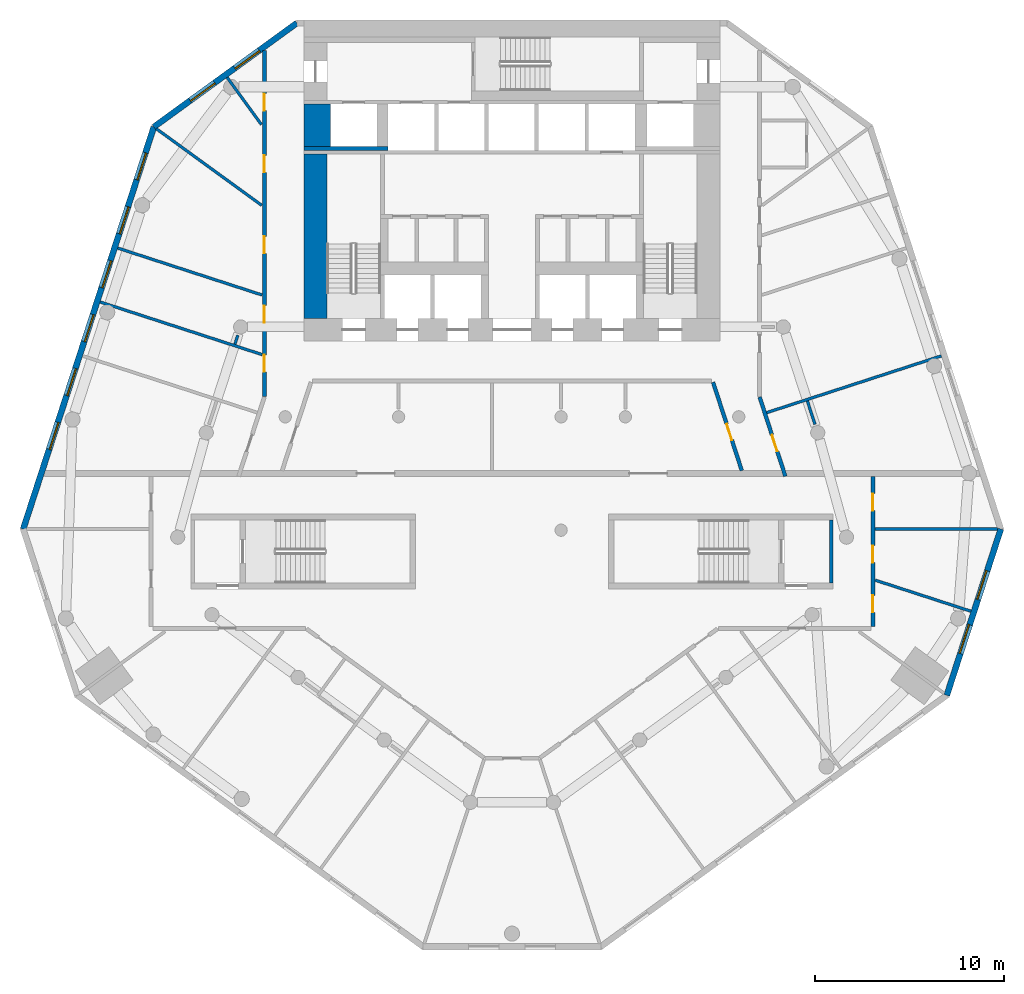
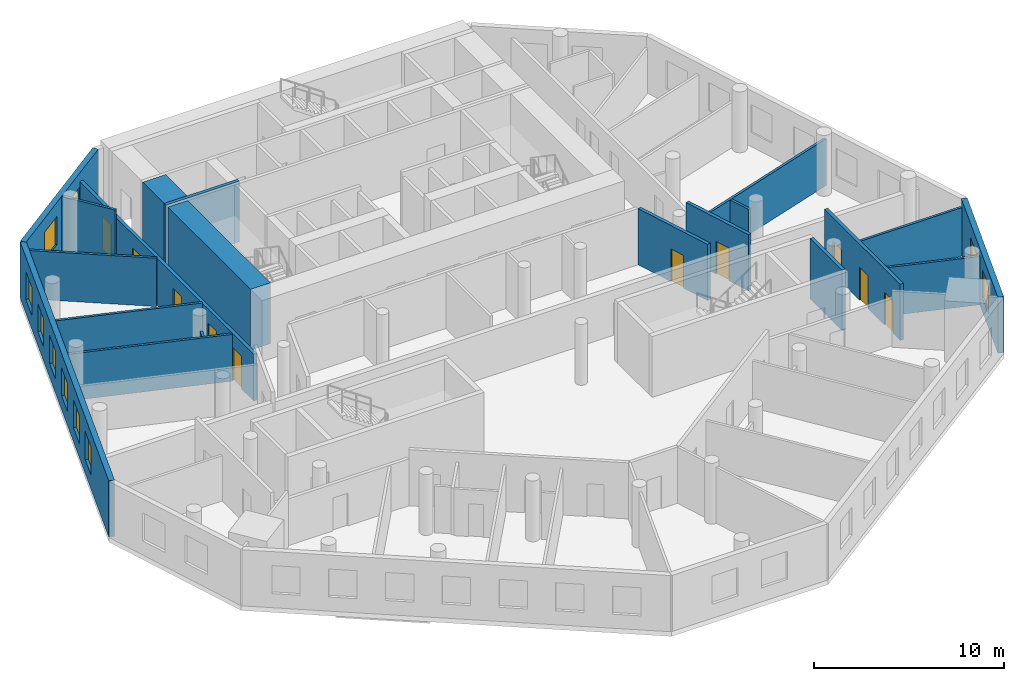
# One storey, part 4 of 9: 20 walls, 10 doors, 10 windows, 20 openings.
"""IFC4 building model written with IfcOpenShell, lengths in metres."""

import ifcopenshell
import ifcopenshell.guid

model = None  # the IFC model being written
_history = None  # IfcOwnerHistory: only IFC2X3 demands one
_inside = {}  # id of a spatial element -> (the spatial element, [elements in it])
_under = {}  # id of a project, library or spatial element -> (it, [spatial elements below it])
_declared = {}  # id of a project -> (the project, [libraries it declares])
_typed = {}  # id of a type object -> (the type object, [elements of that type])
_made_of = {}  # id of a material, layer set ... -> (it, [elements and type objects made of it])


def new_model(schema):
    """Start an empty IFC model of exactly this schema.

    Asked for "IFC4X3", IfcOpenShell would pick the latest addendum, in which some entities
    have other attributes; the version numbers below select the first issue.
    IFC2X3 requires an IfcOwnerHistory on every rooted entity: one is made here for all.
    """
    global model, _history
    if schema == "IFC4X3":
        model = ifcopenshell.file(schema_version=(4, 3, 0, 0))
    else:
        model = ifcopenshell.file(schema=schema)
    _inside.clear()
    _under.clear()
    _declared.clear()
    _typed.clear()
    _made_of.clear()
    _history = None
    if model.schema == "IFC2X3":
        org = make("IfcOrganization", Name="unknown")
        user = make(
            "IfcPersonAndOrganization",
            ThePerson=make("IfcPerson", FamilyName="unknown"),
            TheOrganization=org,
        )
        app = make(
            "IfcApplication",
            ApplicationDeveloper=org,
            Version="unknown",
            ApplicationFullName="unknown",
            ApplicationIdentifier="unknown",
        )
        _history = make(
            "IfcOwnerHistory",
            OwningUser=user,
            OwningApplication=app,
            ChangeAction="ADDED",
            CreationDate=0,
        )
    return model


def make(cls, **values):
    """One entity of the class cls with the attributes given. An attribute that is None is left unset."""
    return model.create_entity(
        cls, **{name: value for name, value in values.items() if value is not None}
    )


def rooted(cls, **values):
    """An entity with a GlobalId (a new one), such as an element, a storey or a relation."""
    return make(cls, GlobalId=ifcopenshell.guid.new(), OwnerHistory=_history, **values)


def si_unit(unit_type, name, prefix=None):
    """IfcSIUnit, for example si_unit("LENGTHUNIT", "METRE", prefix="MILLI")."""
    return make("IfcSIUnit", UnitType=unit_type, Prefix=prefix, Name=name)


def assignment(units):
    """IfcUnitAssignment: the units of a project."""
    return None if units is None else make("IfcUnitAssignment", Units=units)


def point(xyz):
    """IfcCartesianPoint."""
    return None if xyz is None else make("IfcCartesianPoint", Coordinates=xyz)


def direction(xyz):
    """IfcDirection."""
    return None if xyz is None else make("IfcDirection", DirectionRatios=xyz)


def frame(location, z_axis=None, x_axis=None):
    """IfcAxis2Placement3D, a coordinate frame: its origin and axes. An axis left out is left unset."""
    return make(
        "IfcAxis2Placement3D",
        Location=point(location),
        Axis=direction(z_axis),
        RefDirection=direction(x_axis),
    )


def frame_2d(location, x_axis=None):
    """IfcAxis2Placement2D, a coordinate frame in the plane: its origin and x axis."""
    return make(
        "IfcAxis2Placement2D", Location=point(location), RefDirection=direction(x_axis)
    )


def origin():
    """The frame at (0, 0, 0) with its axes left unset."""
    return frame((0.0, 0.0, 0.0))


def place(relative_to, where):
    """IfcLocalPlacement: puts the frame where relative to a parent placement (None: the world)."""
    return make(
        "IfcLocalPlacement", PlacementRelTo=relative_to, RelativePlacement=where
    )


def context(
    kind, dimensions, precision=None, world=None, true_north=None, identifier=None
):
    """IfcGeometricRepresentationContext, for example the 3D "Model" context."""
    return make(
        "IfcGeometricRepresentationContext",
        ContextIdentifier=identifier,
        ContextType=kind,
        CoordinateSpaceDimension=dimensions,
        Precision=precision,
        WorldCoordinateSystem=world,
        TrueNorth=true_north,
    )


def subcontext(parent, identifier, kind, view, scale=None):
    """IfcGeometricRepresentationSubContext, for example "Body" below "Model"."""
    return make(
        "IfcGeometricRepresentationSubContext",
        ContextIdentifier=identifier,
        ContextType=kind,
        ParentContext=parent,
        TargetScale=scale,
        TargetView=view,
    )


def project(units=None, contexts=None):
    """IfcProject with its units and contexts."""
    return rooted(
        "IfcProject",
        Name="project",
        RepresentationContexts=contexts,
        UnitsInContext=assignment(units),
    )


def spatial(cls, under=None, at=None, **own):
    """A site, building, storey or space (cls), placed at a placement, below another one or the project."""
    s = rooted(cls, ObjectPlacement=at, **own)
    if under is not None:
        _under.setdefault(under.id(), (under, []))[1].append(s)
    return s


def profile(cls, at=None, kind="AREA", **sizes):
    """A parametric profile (cls). Its sizes go by their IFC names, for example OverallWidth=200.0."""
    return make(cls, ProfileType=kind, Position=at, **sizes)


def rectangle(**sizes):
    """IfcRectangleProfileDef."""
    return profile("IfcRectangleProfileDef", **sizes)


def extrude(swept, where, along, depth):
    """IfcExtrudedAreaSolid: the profile swept, set in the frame where, extruded along a direction by depth."""
    return make(
        "IfcExtrudedAreaSolid",
        SweptArea=swept,
        Position=where,
        ExtrudedDirection=direction(along),
        Depth=depth,
    )


def shape(context_of_items, identifier, shape_type, items):
    """IfcShapeRepresentation: the items that make up one representation, for example the "Body"."""
    return make(
        "IfcShapeRepresentation",
        ContextOfItems=context_of_items,
        RepresentationIdentifier=identifier,
        RepresentationType=shape_type,
        Items=items,
    )


def material(Name=None, Category=None):
    """IfcMaterial."""
    return make("IfcMaterial", Name=Name, Category=Category)


def layer(
    of_material, thickness, ventilated=None, Name=None, Category=None, Priority=None
):
    """IfcMaterialLayer: one layer of a wall or slab, of a material (None: an air gap)."""
    return make(
        "IfcMaterialLayer",
        Material=of_material,
        LayerThickness=thickness,
        IsVentilated=ventilated,
        Name=Name,
        Category=Category,
        Priority=Priority,
    )


def layer_set(layers, Name=None):
    """IfcMaterialLayerSet."""
    return make("IfcMaterialLayerSet", MaterialLayers=layers, LayerSetName=Name)


def made_of(thing, what):
    """Note that an element or type object is made of a material, layer set ...; save() writes the relation."""
    if what is not None:
        _made_of.setdefault(what.id(), (what, []))[1].append(thing)
    return thing


def type_object(cls, material=None, **own):
    """A type object (cls), such as IfcWallType, which elements share."""
    return made_of(rooted(cls, **own), material)


def element(
    cls,
    number,
    at=None,
    inside=None,
    cuts=None,
    type_object=None,
    material=None,
    context=None,
    identifier="Body",
    shape_type=None,
    held_by="IfcProductDefinitionShape",
    body=None,
    shapes=None,
    **own,
):
    """One element of the class cls, such as IfcWall. Its Tag is "e" and its number.

    at: its placement. inside: the storey or other place that contains it. cuts: it is an
    opening in that element (IfcRelVoidsElement). A single representation is given by context,
    identifier, shape_type and body (its items); several are given by shapes. held_by: the class
    of the entity that holds the representations. save() writes the other relations.
    """
    e = rooted(cls, Tag="e%d" % number, ObjectPlacement=at, **own)
    if body is not None:
        shapes = [shape(context, identifier, shape_type, body)]
    if shapes is not None:
        e.Representation = make(held_by, Representations=shapes)
    if inside is not None:
        _inside.setdefault(inside.id(), (inside, []))[1].append(e)
    if cuts is not None:
        rooted(
            "IfcRelVoidsElement", RelatingBuildingElement=cuts, RelatedOpeningElement=e
        )
    if type_object is not None:
        _typed.setdefault(type_object.id(), (type_object, []))[1].append(e)
    return made_of(e, material)


def fill(opening, filler):
    """IfcRelFillsElement: the door or window that sits in an opening."""
    return rooted(
        "IfcRelFillsElement",
        RelatingOpeningElement=opening,
        RelatedBuildingElement=filler,
    )


def aggregate(whole, parts):
    """IfcRelAggregates: a whole, such as a stair, and the parts it consists of."""
    return rooted("IfcRelAggregates", RelatingObject=whole, RelatedObjects=parts)


def save(model, path):
    """Write the relations noted so far, then the file.

    IfcRelAggregates (storeys below a building ...), IfcRelContainedInSpatialStructure (elements
    in a storey), IfcRelDefinesByType, IfcRelAssociatesMaterial and IfcRelDeclares: one each for
    every whole, place, type object, material and project.
    """
    for whole, parts in _under.values():
        aggregate(whole, parts)
    for where, things in _inside.values():
        rooted(
            "IfcRelContainedInSpatialStructure",
            RelatedElements=things,
            RelatingStructure=where,
        )
    for kind, things in _typed.values():
        rooted("IfcRelDefinesByType", RelatedObjects=things, RelatingType=kind)
    for what, things in _made_of.values():
        rooted("IfcRelAssociatesMaterial", RelatedObjects=things, RelatingMaterial=what)
    for by, libraries in _declared.values():
        rooted("IfcRelDeclares", RelatingContext=by, RelatedDefinitions=libraries)
    model.write(path)


model = new_model("IFC4")

# Units and contexts
model_context = context("Model", 3, precision=1e-05, world=origin(), true_north=direction((0.0, 1.0)))
body_context = subcontext(model_context, "Body", "Model", "MODEL_VIEW")
ifc_project = project(units=[si_unit("LENGTHUNIT", "METRE"), si_unit("AREAUNIT", "SQUARE_METRE"), si_unit("VOLUMEUNIT", "CUBIC_METRE"), si_unit("PLANEANGLEUNIT", "RADIAN"), si_unit("MASSUNIT", "GRAM", prefix="KILO")], contexts=[model_context])

# Site, building, storey
site_placement = place(None, origin())
site = spatial("IfcSite", under=ifc_project, at=site_placement, CompositionType="ELEMENT")
building_placement = place(site_placement, origin())
building = spatial("IfcBuilding", under=site, at=building_placement, Name="White Candle Pilgrim Tower", CompositionType="ELEMENT")
storey_placement = place(building_placement, frame((0.0, 0.0, 81.89990234375)))
storey = spatial("IfcBuildingStorey", under=building, at=storey_placement, Name="L17", CompositionType="ELEMENT", Elevation=81.89990234375)

# Walls
ifc_material_1 = material(Name="Concrete C70/85", Category="concrete")
ifc_layer_1 = layer(ifc_material_1, 1.39990234375)
ifc_layer_set_1 = layer_set([ifc_layer_1], Name="Core wall 1400 mm Concrete C70/85")
wall_type_1 = type_object("IfcWallType", Name="Core wall 1400 mm Concrete C70/85", PredefinedType="SHEAR", material=ifc_layer_set_1)
wall_1_placement = place(storey_placement, frame((59.699951171875, 81.300048828125, 0.0), z_axis=(0.0, 0.0, 1.0), x_axis=(0.0, 1.0, 0.0)))
element("IfcWall", 1, at=wall_1_placement, inside=storey, type_object=wall_type_1, Name="WL-L17-C41", PredefinedType="SHEAR", context=body_context, shape_type="SweptSolid", body=[
    extrude(rectangle(XDim=2.25, YDim=1.39990234375, at=frame_2d((1.125, 0.0))), origin(), (0.0, 0.0, 1.0), 3.900146484375),
])
ifc_layer_2 = layer(ifc_material_1, 0.199951171875)
ifc_layer_set_2 = layer_set([ifc_layer_2], Name="Core wall 200 mm Concrete C70/85")
wall_type_2 = type_object("IfcWallType", Name="Core wall 200 mm Concrete C70/85", PredefinedType="SHEAR", material=ifc_layer_set_2)
wall_2_placement = place(storey_placement, frame((86.89990234375, 58.199951171875, 0.0), z_axis=(0.0, 0.0, 1.0), x_axis=(0.0, 1.0, 0.0)))
element("IfcWall", 2, at=wall_2_placement, inside=storey, type_object=wall_type_2, Name="WL-L17-C08", PredefinedType="SHEAR", context=body_context, shape_type="SweptSolid", body=[
    extrude(rectangle(XDim=3.35009765625, YDim=0.199951171875, at=frame_2d((1.675048828125, 0.0))), origin(), (0.0, 0.0, 1.0), 3.900146484375),
])
wall_3_placement = place(storey_placement, frame((59.0, 81.199951171875, 0.0), z_axis=(0.0, 0.0, 1.0), x_axis=(1.0, 0.0, 0.0)))
element("IfcWall", 3, at=wall_3_placement, inside=storey, type_object=wall_type_2, Name="WL-L17-C35", PredefinedType="SHEAR", context=body_context, shape_type="SweptSolid", body=[
    extrude(rectangle(XDim=4.449951171875, YDim=0.199951171875, at=frame_2d((2.22509765625, 0.0))), origin(), (0.0, 0.0, 1.0), 3.900146484375),
])

# Wall, openings, doors
ifc_material_2 = material(Name="Gypsum board on steel studs", Category="steel")
ifc_layer_3 = layer(ifc_material_2, 0.199951171875)
ifc_layer_set_3 = layer_set([ifc_layer_3], Name="Corridor wall 200 mm EI 45")
wall_type_3 = type_object("IfcWallType", Name="Corridor wall 200 mm EI 45", PredefinedType="PARTITIONING", material=ifc_layer_set_3)
wall_4_placement = place(storey_placement, frame((56.89990234375, 68.076904296875, 0.0), z_axis=(0.0, 0.0, 1.0), x_axis=(0.0, 1.0, 0.0)))
wall_4 = element("IfcWall", 4, at=wall_4_placement, inside=storey, type_object=wall_type_3, Name="WL-L17-P003", PredefinedType="PARTITIONING", context=body_context, shape_type="SweptSolid", body=[
    extrude(rectangle(XDim=18.3193359375, YDim=0.199951171875, at=frame_2d((9.15966796875, 0.0))), origin(), (0.0, 0.0, 1.0), 3.0),
])
opening_1_placement = place(wall_4_placement, frame((1.306640625, 0.0, 0.0)))
opening_1 = element("IfcOpeningElement", 5, at=opening_1_placement, cuts=wall_4, Name="Opening T05-119", PredefinedType="OPENING", context=body_context, shape_type="SweptSolid", body=[
    extrude(rectangle(XDim=0.89990234375, YDim=2.10009765625, at=frame_2d((0.449951171875, 1.050048828125))), frame((0.0, 0.10986328125, 0.0), z_axis=(0.0, -1.0, 0.0), x_axis=(1.0, 0.0, 0.0)), (0.0, 0.0, 1.0), 0.219970703125),
])
opening_2_placement = place(wall_4_placement, frame((3.906005859375, 0.0, 0.0)))
opening_2 = element("IfcOpeningElement", 6, at=opening_2_placement, cuts=wall_4, Name="Opening T05-120", PredefinedType="OPENING", context=body_context, shape_type="SweptSolid", body=[
    extrude(rectangle(XDim=0.89990234375, YDim=2.10009765625, at=frame_2d((0.449951171875, 1.050048828125))), frame((0.0, 0.10986328125, 0.0), z_axis=(0.0, -1.0, 0.0), x_axis=(1.0, 0.0, 0.0)), (0.0, 0.0, 1.0), 0.219970703125),
])
opening_3_placement = place(wall_4_placement, frame((7.569091796875, 0.0, 0.0)))
opening_3 = element("IfcOpeningElement", 7, at=opening_3_placement, cuts=wall_4, Name="Opening T05-121", PredefinedType="OPENING", context=body_context, shape_type="SweptSolid", body=[
    extrude(rectangle(XDim=0.89990234375, YDim=2.10009765625, at=frame_2d((0.449951171875, 1.050048828125))), frame((0.0, 0.10986328125, 0.0), z_axis=(0.0, -1.0, 0.0), x_axis=(1.0, 0.0, 0.0)), (0.0, 0.0, 1.0), 0.219970703125),
])
opening_4_placement = place(wall_4_placement, frame((11.853515625, 0.0, 0.0)))
opening_4 = element("IfcOpeningElement", 8, at=opening_4_placement, cuts=wall_4, Name="Opening T05-122", PredefinedType="OPENING", context=body_context, shape_type="SweptSolid", body=[
    extrude(rectangle(XDim=0.89990234375, YDim=2.10009765625, at=frame_2d((0.449951171875, 1.050048828125))), frame((0.0, 0.10986328125, 0.0), z_axis=(0.0, -1.0, 0.0), x_axis=(1.0, 0.0, 0.0)), (0.0, 0.0, 1.0), 0.219970703125),
])
opening_5_placement = place(wall_4_placement, frame((15.12158203125, 0.0, 0.0)))
opening_5 = element("IfcOpeningElement", 9, at=opening_5_placement, cuts=wall_4, Name="Opening T05-123", PredefinedType="OPENING", context=body_context, shape_type="SweptSolid", body=[
    extrude(rectangle(XDim=0.89990234375, YDim=2.10009765625, at=frame_2d((0.449951171875, 1.050048828125))), frame((0.0, 0.10986328125, 0.0), z_axis=(0.0, -1.0, 0.0), x_axis=(1.0, 0.0, 0.0)), (0.0, 0.0, 1.0), 0.219970703125),
])
ifc_material_3 = material(Name="Steel door leaf", Category="steel")
door_type = type_object("IfcDoorType", Name="Fire door 900 x 2100 EI 30", OperationType="NOTDEFINED", PredefinedType="DOOR", material=ifc_material_3)
door_1_placement = place(opening_1_placement, origin())
door_1 = element("IfcDoor", 10, at=door_1_placement, inside=storey, type_object=door_type, Name="Door T05-119", OperationType="SINGLE_SWING_LEFT", OverallHeight=2.10009765625, OverallWidth=0.89990234375, PredefinedType="DOOR", context=body_context, shape_type="SweptSolid", body=[
    extrude(rectangle(XDim=0.89990234375, YDim=2.10009765625, at=frame_2d((0.449951171875, 1.050048828125))), frame((0.0, 0.02490234375, 0.0), z_axis=(0.0, -1.0, 0.0), x_axis=(1.0, 0.0, 0.0)), (0.0, 0.0, 1.0), 0.050048828125),
])
fill(opening_1, door_1)
door_2_placement = place(opening_2_placement, origin())
door_2 = element("IfcDoor", 11, at=door_2_placement, inside=storey, type_object=door_type, Name="Door T05-120", OperationType="SINGLE_SWING_RIGHT", OverallHeight=2.10009765625, OverallWidth=0.89990234375, PredefinedType="DOOR", context=body_context, shape_type="SweptSolid", body=[
    extrude(rectangle(XDim=0.89990234375, YDim=2.10009765625, at=frame_2d((0.449951171875, 1.050048828125))), frame((0.0, 0.02490234375, 0.0), z_axis=(0.0, -1.0, 0.0), x_axis=(1.0, 0.0, 0.0)), (0.0, 0.0, 1.0), 0.050048828125),
])
fill(opening_2, door_2)
door_3_placement = place(opening_3_placement, origin())
door_3 = element("IfcDoor", 12, at=door_3_placement, inside=storey, type_object=door_type, Name="Door T05-121", OperationType="SINGLE_SWING_LEFT", OverallHeight=2.10009765625, OverallWidth=0.89990234375, PredefinedType="DOOR", context=body_context, shape_type="SweptSolid", body=[
    extrude(rectangle(XDim=0.89990234375, YDim=2.10009765625, at=frame_2d((0.449951171875, 1.050048828125))), frame((0.0, 0.02490234375, 0.0), z_axis=(0.0, -1.0, 0.0), x_axis=(1.0, 0.0, 0.0)), (0.0, 0.0, 1.0), 0.050048828125),
])
fill(opening_3, door_3)
door_4_placement = place(opening_4_placement, origin())
door_4 = element("IfcDoor", 13, at=door_4_placement, inside=storey, type_object=door_type, Name="Door T05-122", OperationType="SINGLE_SWING_RIGHT", OverallHeight=2.10009765625, OverallWidth=0.89990234375, PredefinedType="DOOR", context=body_context, shape_type="SweptSolid", body=[
    extrude(rectangle(XDim=0.89990234375, YDim=2.10009765625, at=frame_2d((0.449951171875, 1.050048828125))), frame((0.0, 0.02490234375, 0.0), z_axis=(0.0, -1.0, 0.0), x_axis=(1.0, 0.0, 0.0)), (0.0, 0.0, 1.0), 0.050048828125),
])
fill(opening_4, door_4)
door_5_placement = place(opening_5_placement, origin())
door_5 = element("IfcDoor", 14, at=door_5_placement, inside=storey, type_object=door_type, Name="Door T05-123", OperationType="SINGLE_SWING_LEFT", OverallHeight=2.10009765625, OverallWidth=0.89990234375, PredefinedType="DOOR", context=body_context, shape_type="SweptSolid", body=[
    extrude(rectangle(XDim=0.89990234375, YDim=2.10009765625, at=frame_2d((0.449951171875, 1.050048828125))), frame((0.0, 0.02490234375, 0.0), z_axis=(0.0, -1.0, 0.0), x_axis=(1.0, 0.0, 0.0)), (0.0, 0.0, 1.0), 0.050048828125),
])
fill(opening_5, door_5)

# Wall, opening, door
wall_5_placement = place(storey_placement, frame((83.10498046875, 68.0458984375, 0.0), z_axis=(0.0, 0.0, 1.0), x_axis=(0.309013495578, -0.951057653116, 0.0)))
wall_5 = element("IfcWall", 15, at=wall_5_placement, inside=storey, type_object=wall_type_3, Name="WL-L17-P005", PredefinedType="PARTITIONING", context=body_context, shape_type="SweptSolid", body=[
    extrude(rectangle(XDim=4.41162109375, YDim=0.199951171875, at=frame_2d((2.205810546875, 0.0))), origin(), (0.0, 0.0, 1.0), 3.60009765625),
])
opening_6_placement = place(wall_5_placement, frame((2.115966796875, 0.0, 0.0)))
opening_6 = element("IfcOpeningElement", 16, at=opening_6_placement, cuts=wall_5, Name="Opening T05-128", PredefinedType="OPENING", context=body_context, shape_type="SweptSolid", body=[
    extrude(rectangle(XDim=0.89990234375, YDim=2.10009765625, at=frame_2d((0.449951171875, 1.050048828125))), frame((0.0, 0.10986328125, 0.0), z_axis=(0.0, -1.0, 0.0), x_axis=(1.0, 0.0, 0.0)), (0.0, 0.0, 1.0), 0.219970703125),
])
door_6_placement = place(opening_6_placement, origin())
door_6 = element("IfcDoor", 17, at=door_6_placement, inside=storey, type_object=door_type, Name="Door T05-128", OperationType="SINGLE_SWING_RIGHT", OverallHeight=2.10009765625, OverallWidth=0.89990234375, PredefinedType="DOOR", context=body_context, shape_type="SweptSolid", body=[
    extrude(rectangle(XDim=0.89990234375, YDim=2.10009765625, at=frame_2d((0.449951171875, 1.050048828125))), frame((0.0, 0.02490234375, 0.0), z_axis=(0.0, -1.0, 0.0), x_axis=(1.0, 0.0, 0.0)), (0.0, 0.0, 1.0), 0.050048828125),
])
fill(opening_6, door_6)

# Wall, openings, doors
wall_6_placement = place(storey_placement, frame((89.10009765625, 63.85009765625, 0.0), z_axis=(0.0, 0.0, 1.0), x_axis=(0.0, -1.0, 0.0)))
wall_6 = element("IfcWall", 18, at=wall_6_placement, inside=storey, type_object=wall_type_3, Name="WL-L17-P006", PredefinedType="PARTITIONING", context=body_context, shape_type="SweptSolid", body=[
    extrude(rectangle(XDim=7.9501953125, YDim=0.199951171875, at=frame_2d((3.97509765625, 0.0))), origin(), (0.0, 0.0, 1.0), 3.60009765625),
])
opening_7_placement = place(wall_6_placement, frame((6.302001953125, 0.0, 0.0)))
opening_7 = element("IfcOpeningElement", 19, at=opening_7_placement, cuts=wall_6, Name="Opening T05-112", PredefinedType="OPENING", context=body_context, shape_type="SweptSolid", body=[
    extrude(rectangle(XDim=0.89990234375, YDim=2.10009765625, at=frame_2d((0.449951171875, 1.050048828125))), frame((0.0, 0.10986328125, 0.0), z_axis=(0.0, -1.0, 0.0), x_axis=(1.0, 0.0, 0.0)), (0.0, 0.0, 1.0), 0.219970703125),
])
opening_8_placement = place(wall_6_placement, frame((3.672119140625, 0.0, 0.0)))
opening_8 = element("IfcOpeningElement", 20, at=opening_8_placement, cuts=wall_6, Name="Opening T05-113", PredefinedType="OPENING", context=body_context, shape_type="SweptSolid", body=[
    extrude(rectangle(XDim=0.89990234375, YDim=2.10009765625, at=frame_2d((0.449951171875, 1.050048828125))), frame((0.0, 0.10986328125, 0.0), z_axis=(0.0, -1.0, 0.0), x_axis=(1.0, 0.0, 0.0)), (0.0, 0.0, 1.0), 0.219970703125),
])
opening_9_placement = place(wall_6_placement, frame((0.90771484375, 0.0, 0.0)))
opening_9 = element("IfcOpeningElement", 21, at=opening_9_placement, cuts=wall_6, Name="Opening T05-129", PredefinedType="OPENING", context=body_context, shape_type="SweptSolid", body=[
    extrude(rectangle(XDim=0.89990234375, YDim=2.10009765625, at=frame_2d((0.449951171875, 1.050048828125))), frame((0.0, 0.10986328125, 0.0), z_axis=(0.0, -1.0, 0.0), x_axis=(1.0, 0.0, 0.0)), (0.0, 0.0, 1.0), 0.219970703125),
])
door_7_placement = place(opening_7_placement, origin())
door_7 = element("IfcDoor", 22, at=door_7_placement, inside=storey, type_object=door_type, Name="Door T05-112", OperationType="SINGLE_SWING_RIGHT", OverallHeight=2.10009765625, OverallWidth=0.89990234375, PredefinedType="DOOR", context=body_context, shape_type="SweptSolid", body=[
    extrude(rectangle(XDim=0.89990234375, YDim=2.10009765625, at=frame_2d((0.449951171875, 1.050048828125))), frame((0.0, 0.02490234375, 0.0), z_axis=(0.0, -1.0, 0.0), x_axis=(1.0, 0.0, 0.0)), (0.0, 0.0, 1.0), 0.050048828125),
])
fill(opening_7, door_7)
door_8_placement = place(opening_8_placement, origin())
door_8 = element("IfcDoor", 23, at=door_8_placement, inside=storey, type_object=door_type, Name="Door T05-113", OperationType="SINGLE_SWING_LEFT", OverallHeight=2.10009765625, OverallWidth=0.89990234375, PredefinedType="DOOR", context=body_context, shape_type="SweptSolid", body=[
    extrude(rectangle(XDim=0.89990234375, YDim=2.10009765625, at=frame_2d((0.449951171875, 1.050048828125))), frame((0.0, 0.02490234375, 0.0), z_axis=(0.0, -1.0, 0.0), x_axis=(1.0, 0.0, 0.0)), (0.0, 0.0, 1.0), 0.050048828125),
])
fill(opening_8, door_8)
door_9_placement = place(opening_9_placement, origin())
door_9 = element("IfcDoor", 24, at=door_9_placement, inside=storey, type_object=door_type, Name="Door T05-129", OperationType="SINGLE_SWING_LEFT", OverallHeight=2.10009765625, OverallWidth=0.89990234375, PredefinedType="DOOR", context=body_context, shape_type="SweptSolid", body=[
    extrude(rectangle(XDim=0.89990234375, YDim=2.10009765625, at=frame_2d((0.449951171875, 1.050048828125))), frame((0.0, 0.02490234375, 0.0), z_axis=(0.0, -1.0, 0.0), x_axis=(1.0, 0.0, 0.0)), (0.0, 0.0, 1.0), 0.050048828125),
])
fill(opening_9, door_9)

# Wall, opening, door
wall_7_placement = place(storey_placement, frame((82.16259765625, 64.14990234375, 0.0), z_axis=(0.0, 0.0, 1.0), x_axis=(-0.308986244793, 0.95106650689, 0.0)))
wall_7 = element("IfcWall", 25, at=wall_7_placement, inside=storey, type_object=wall_type_3, Name="WL-L17-P015", PredefinedType="PARTITIONING", context=body_context, shape_type="SweptSolid", body=[
    extrude(rectangle(XDim=4.921630859375, YDim=0.199951171875, at=frame_2d((2.4609375, 0.0))), origin(), (0.0, 0.0, 1.0), 3.60009765625),
])
opening_10_placement = place(wall_7_placement, frame((1.69775390625, 0.0, 0.0)))
opening_10 = element("IfcOpeningElement", 26, at=opening_10_placement, cuts=wall_7, Name="Opening T05-130", PredefinedType="OPENING", context=body_context, shape_type="SweptSolid", body=[
    extrude(rectangle(XDim=0.89990234375, YDim=2.10009765625, at=frame_2d((0.449951171875, 1.050048828125))), frame((0.0, 0.10986328125, 0.0), z_axis=(0.0, -1.0, 0.0), x_axis=(1.0, 0.0, 0.0)), (0.0, 0.0, 1.0), 0.219970703125),
])
door_10_placement = place(opening_10_placement, origin())
door_10 = element("IfcDoor", 27, at=door_10_placement, inside=storey, type_object=door_type, Name="Door T05-130", OperationType="SINGLE_SWING_RIGHT", OverallHeight=2.10009765625, OverallWidth=0.89990234375, PredefinedType="DOOR", context=body_context, shape_type="SweptSolid", body=[
    extrude(rectangle(XDim=0.89990234375, YDim=2.10009765625, at=frame_2d((0.449951171875, 1.050048828125))), frame((0.0, 0.02490234375, 0.0), z_axis=(0.0, -1.0, 0.0), x_axis=(1.0, 0.0, 0.0)), (0.0, 0.0, 1.0), 0.050048828125),
])
fill(opening_10, door_10)

# Wall, openings, windows
ifc_material_4 = material(Name="Precast concrete C40/50", Category="concrete")
ifc_layer_4 = layer(ifc_material_4, 0.320068359375)
ifc_layer_set_4 = layer_set([ifc_layer_4], Name="Facade wall EW1 precast concrete C40/50 pier wall with timber-lined reveals")
wall_type_4 = type_object("IfcWallType", Name="Facade wall EW1 precast concrete C40/50 pier wall with timber-lined reveals", PredefinedType="SOLIDWALL", material=ifc_layer_set_4)
wall_8_placement = place(storey_placement, frame((93.010009765625, 52.26220703125, 0.0), z_axis=(0.0, 0.0, 1.0), x_axis=(0.309005505668, 0.951060249125, 0.0)))
wall_8 = element("IfcWall", 28, at=wall_8_placement, inside=storey, type_object=wall_type_4, Name="Facade wall L17 E chamfer", PredefinedType="SOLIDWALL", context=body_context, shape_type="SweptSolid", body=[
    extrude(rectangle(XDim=9.250244140625, YDim=0.320068359375, at=frame_2d((4.625, 0.0))), origin(), (0.0, 0.0, 1.0), 3.60009765625),
])
opening_11_placement = place(wall_8_placement, frame((2.3251953125, 0.0, 0.89990234375)))
opening_11 = element("IfcOpeningElement", 29, at=opening_11_placement, cuts=wall_8, Name="Opening W2", PredefinedType="OPENING", context=body_context, shape_type="SweptSolid", body=[
    extrude(rectangle(XDim=1.60009765625, YDim=1.800048828125, at=frame_2d((0.800048828125, 0.89990234375))), frame((0.0, 0.169921875, 0.0), z_axis=(0.0, -1.0, 0.0), x_axis=(1.0, 0.0, 0.0)), (0.0, 0.0, 1.0), 0.340087890625),
])
opening_12_placement = place(wall_8_placement, frame((5.3251953125, 0.0, 0.89990234375)))
opening_12 = element("IfcOpeningElement", 30, at=opening_12_placement, cuts=wall_8, Name="Opening W2", PredefinedType="OPENING", context=body_context, shape_type="SweptSolid", body=[
    extrude(rectangle(XDim=1.60009765625, YDim=1.800048828125, at=frame_2d((0.800048828125, 0.89990234375))), frame((0.0, 0.169921875, 0.0), z_axis=(0.0, -1.0, 0.0), x_axis=(1.0, 0.0, 0.0)), (0.0, 0.0, 1.0), 0.340087890625),
])
ifc_material_5 = material(Name="Timber frame with triple glazing", Category="wood")
window_type_1 = type_object("IfcWindowType", Name="Window W2 1600x1800 timber frame triple glazing", PartitioningType="SINGLE_PANEL", PredefinedType="WINDOW", material=ifc_material_5)
window_1_placement = place(opening_11_placement, origin())
window_1 = element("IfcWindow", 31, at=window_1_placement, inside=storey, type_object=window_type_1, Name="Window W2 L17 E chamfer 1", OverallHeight=1.800048828125, OverallWidth=1.60009765625, PartitioningType="SINGLE_PANEL", PredefinedType="WINDOW", context=body_context, shape_type="SweptSolid", body=[
    extrude(rectangle(XDim=1.60009765625, YDim=1.800048828125, at=frame_2d((0.800048828125, 0.89990234375))), frame((0.0, 0.070068359375, 0.0), z_axis=(0.0, -1.0, 0.0), x_axis=(1.0, 0.0, 0.0)), (0.0, 0.0, 1.0), 0.06005859375),
])
fill(opening_11, window_1)
window_2_placement = place(opening_12_placement, origin())
window_2 = element("IfcWindow", 32, at=window_2_placement, inside=storey, type_object=window_type_1, Name="Window W2 L17 E chamfer 2", OverallHeight=1.800048828125, OverallWidth=1.60009765625, PartitioningType="SINGLE_PANEL", PredefinedType="WINDOW", context=body_context, shape_type="SweptSolid", body=[
    extrude(rectangle(XDim=1.60009765625, YDim=1.800048828125, at=frame_2d((0.800048828125, 0.89990234375))), frame((0.0, 0.070068359375, 0.0), z_axis=(0.0, -1.0, 0.0), x_axis=(1.0, 0.0, 0.0)), (0.0, 0.0, 1.0), 0.06005859375),
])
fill(opening_12, window_2)

wall_9_placement = place(storey_placement, frame((58.614990234375, 87.840087890625, 0.0), z_axis=(0.0, 0.0, 1.0), x_axis=(-0.809011346894, -0.587793025304, 0.0)))
wall_9 = element("IfcWall", 33, at=wall_9_placement, inside=storey, type_object=wall_type_4, Name="Facade wall L17 NW chamfer", PredefinedType="SOLIDWALL", context=body_context, shape_type="SweptSolid", body=[
    extrude(rectangle(XDim=9.35546875, YDim=0.320068359375, at=frame_2d((4.677734375, 0.0))), origin(), (0.0, 0.0, 1.0), 3.60009765625),
])
opening_13_placement = place(wall_9_placement, frame((2.459716796875, 0.0, 0.89990234375)))
opening_13 = element("IfcOpeningElement", 34, at=opening_13_placement, cuts=wall_9, Name="Opening W2", PredefinedType="OPENING", context=body_context, shape_type="SweptSolid", body=[
    extrude(rectangle(XDim=1.60009765625, YDim=1.800048828125, at=frame_2d((0.800048828125, 0.89990234375))), frame((0.0, 0.169921875, 0.0), z_axis=(0.0, -1.0, 0.0), x_axis=(1.0, 0.0, 0.0)), (0.0, 0.0, 1.0), 0.340087890625),
])
opening_14_placement = place(wall_9_placement, frame((5.377685546875, 0.0, 0.89990234375)))
opening_14 = element("IfcOpeningElement", 35, at=opening_14_placement, cuts=wall_9, Name="Opening W2", PredefinedType="OPENING", context=body_context, shape_type="SweptSolid", body=[
    extrude(rectangle(XDim=1.60009765625, YDim=1.800048828125, at=frame_2d((0.800048828125, 0.89990234375))), frame((0.0, 0.169921875, 0.0), z_axis=(0.0, -1.0, 0.0), x_axis=(1.0, 0.0, 0.0)), (0.0, 0.0, 1.0), 0.340087890625),
])
window_3_placement = place(opening_13_placement, origin())
window_3 = element("IfcWindow", 36, at=window_3_placement, inside=storey, type_object=window_type_1, Name="Window W2 L17 NW chamfer 1", OverallHeight=1.800048828125, OverallWidth=1.60009765625, PartitioningType="SINGLE_PANEL", PredefinedType="WINDOW", context=body_context, shape_type="SweptSolid", body=[
    extrude(rectangle(XDim=1.60009765625, YDim=1.800048828125, at=frame_2d((0.800048828125, 0.89990234375))), frame((0.0, 0.070068359375, 0.0), z_axis=(0.0, -1.0, 0.0), x_axis=(1.0, 0.0, 0.0)), (0.0, 0.0, 1.0), 0.06005859375),
])
fill(opening_13, window_3)
window_4_placement = place(opening_14_placement, origin())
window_4 = element("IfcWindow", 37, at=window_4_placement, inside=storey, type_object=window_type_1, Name="Window W2 L17 NW chamfer 2", OverallHeight=1.800048828125, OverallWidth=1.60009765625, PartitioningType="SINGLE_PANEL", PredefinedType="WINDOW", context=body_context, shape_type="SweptSolid", body=[
    extrude(rectangle(XDim=1.60009765625, YDim=1.800048828125, at=frame_2d((0.800048828125, 0.89990234375))), frame((0.0, 0.070068359375, 0.0), z_axis=(0.0, -1.0, 0.0), x_axis=(1.0, 0.0, 0.0)), (0.0, 0.0, 1.0), 0.06005859375),
])
fill(opening_14, window_4)

wall_10_placement = place(storey_placement, frame((51.04638671875, 82.341064453125, 0.0), z_axis=(0.0, 0.0, 1.0), x_axis=(-0.309020941063, -0.951055233929, 0.0)))
wall_10 = element("IfcWall", 38, at=wall_10_placement, inside=storey, type_object=wall_type_4, Name="Facade wall L17 WNW", PredefinedType="SOLIDWALL", context=body_context, shape_type="SweptSolid", body=[
    extrude(rectangle(XDim=22.37646484375, YDim=0.320068359375, at=frame_2d((11.188232421875, 0.0))), origin(), (0.0, 0.0, 1.0), 3.60009765625),
])
opening_15_placement = place(wall_10_placement, frame((1.438232421875, 0.0, 0.89990234375)))
opening_15 = element("IfcOpeningElement", 39, at=opening_15_placement, cuts=wall_10, Name="Opening W1", PredefinedType="OPENING", context=body_context, shape_type="SweptSolid", body=[
    extrude(rectangle(XDim=1.5, YDim=1.800048828125, at=frame_2d((0.75, 0.89990234375))), frame((0.0, 0.169921875, 0.0), z_axis=(0.0, -1.0, 0.0), x_axis=(1.0, 0.0, 0.0)), (0.0, 0.0, 1.0), 0.340087890625),
])
opening_16_placement = place(wall_10_placement, frame((4.438232421875, 0.0, 0.89990234375)))
opening_16 = element("IfcOpeningElement", 40, at=opening_16_placement, cuts=wall_10, Name="Opening W1", PredefinedType="OPENING", context=body_context, shape_type="SweptSolid", body=[
    extrude(rectangle(XDim=1.5, YDim=1.800048828125, at=frame_2d((0.75, 0.89990234375))), frame((0.0, 0.169921875, 0.0), z_axis=(0.0, -1.0, 0.0), x_axis=(1.0, 0.0, 0.0)), (0.0, 0.0, 1.0), 0.340087890625),
])
opening_17_placement = place(wall_10_placement, frame((7.438232421875, 0.0, 0.89990234375)))
opening_17 = element("IfcOpeningElement", 41, at=opening_17_placement, cuts=wall_10, Name="Opening W1", PredefinedType="OPENING", context=body_context, shape_type="SweptSolid", body=[
    extrude(rectangle(XDim=1.5, YDim=1.800048828125, at=frame_2d((0.75, 0.89990234375))), frame((0.0, 0.169921875, 0.0), z_axis=(0.0, -1.0, 0.0), x_axis=(1.0, 0.0, 0.0)), (0.0, 0.0, 1.0), 0.340087890625),
])
opening_18_placement = place(wall_10_placement, frame((10.438232421875, 0.0, 0.89990234375)))
opening_18 = element("IfcOpeningElement", 42, at=opening_18_placement, cuts=wall_10, Name="Opening W1", PredefinedType="OPENING", context=body_context, shape_type="SweptSolid", body=[
    extrude(rectangle(XDim=1.5, YDim=1.800048828125, at=frame_2d((0.75, 0.89990234375))), frame((0.0, 0.169921875, 0.0), z_axis=(0.0, -1.0, 0.0), x_axis=(1.0, 0.0, 0.0)), (0.0, 0.0, 1.0), 0.340087890625),
])
opening_19_placement = place(wall_10_placement, frame((13.438232421875, 0.0, 0.89990234375)))
opening_19 = element("IfcOpeningElement", 43, at=opening_19_placement, cuts=wall_10, Name="Opening W1", PredefinedType="OPENING", context=body_context, shape_type="SweptSolid", body=[
    extrude(rectangle(XDim=1.5, YDim=1.800048828125, at=frame_2d((0.75, 0.89990234375))), frame((0.0, 0.169921875, 0.0), z_axis=(0.0, -1.0, 0.0), x_axis=(1.0, 0.0, 0.0)), (0.0, 0.0, 1.0), 0.340087890625),
])
opening_20_placement = place(wall_10_placement, frame((16.438232421875, 0.0, 0.89990234375)))
opening_20 = element("IfcOpeningElement", 44, at=opening_20_placement, cuts=wall_10, Name="Opening W1", PredefinedType="OPENING", context=body_context, shape_type="SweptSolid", body=[
    extrude(rectangle(XDim=1.5, YDim=1.800048828125, at=frame_2d((0.75, 0.89990234375))), frame((0.0, 0.169921875, 0.0), z_axis=(0.0, -1.0, 0.0), x_axis=(1.0, 0.0, 0.0)), (0.0, 0.0, 1.0), 0.340087890625),
])
window_type_2 = type_object("IfcWindowType", Name="Window W1 1500x1800 timber frame triple glazing", PartitioningType="SINGLE_PANEL", PredefinedType="WINDOW", material=ifc_material_5)
window_5_placement = place(opening_15_placement, origin())
window_5 = element("IfcWindow", 45, at=window_5_placement, inside=storey, type_object=window_type_2, Name="Window W1 L17 WNW 1", OverallHeight=1.800048828125, OverallWidth=1.5, PartitioningType="SINGLE_PANEL", PredefinedType="WINDOW", context=body_context, shape_type="SweptSolid", body=[
    extrude(rectangle(XDim=1.5, YDim=1.800048828125, at=frame_2d((0.75, 0.89990234375))), frame((0.0, 0.070068359375, 0.0), z_axis=(0.0, -1.0, 0.0), x_axis=(1.0, 0.0, 0.0)), (0.0, 0.0, 1.0), 0.06005859375),
])
fill(opening_15, window_5)
window_6_placement = place(opening_16_placement, origin())
window_6 = element("IfcWindow", 46, at=window_6_placement, inside=storey, type_object=window_type_2, Name="Window W1 L17 WNW 2", OverallHeight=1.800048828125, OverallWidth=1.5, PartitioningType="SINGLE_PANEL", PredefinedType="WINDOW", context=body_context, shape_type="SweptSolid", body=[
    extrude(rectangle(XDim=1.5, YDim=1.800048828125, at=frame_2d((0.75, 0.89990234375))), frame((0.0, 0.070068359375, 0.0), z_axis=(0.0, -1.0, 0.0), x_axis=(1.0, 0.0, 0.0)), (0.0, 0.0, 1.0), 0.06005859375),
])
fill(opening_16, window_6)
window_7_placement = place(opening_17_placement, origin())
window_7 = element("IfcWindow", 47, at=window_7_placement, inside=storey, type_object=window_type_2, Name="Window W1 L17 WNW 3", OverallHeight=1.800048828125, OverallWidth=1.5, PartitioningType="SINGLE_PANEL", PredefinedType="WINDOW", context=body_context, shape_type="SweptSolid", body=[
    extrude(rectangle(XDim=1.5, YDim=1.800048828125, at=frame_2d((0.75, 0.89990234375))), frame((0.0, 0.070068359375, 0.0), z_axis=(0.0, -1.0, 0.0), x_axis=(1.0, 0.0, 0.0)), (0.0, 0.0, 1.0), 0.06005859375),
])
fill(opening_17, window_7)
window_8_placement = place(opening_18_placement, origin())
window_8 = element("IfcWindow", 48, at=window_8_placement, inside=storey, type_object=window_type_2, Name="Window W1 L17 WNW 4", OverallHeight=1.800048828125, OverallWidth=1.5, PartitioningType="SINGLE_PANEL", PredefinedType="WINDOW", context=body_context, shape_type="SweptSolid", body=[
    extrude(rectangle(XDim=1.5, YDim=1.800048828125, at=frame_2d((0.75, 0.89990234375))), frame((0.0, 0.070068359375, 0.0), z_axis=(0.0, -1.0, 0.0), x_axis=(1.0, 0.0, 0.0)), (0.0, 0.0, 1.0), 0.06005859375),
])
fill(opening_18, window_8)
window_9_placement = place(opening_19_placement, origin())
window_9 = element("IfcWindow", 49, at=window_9_placement, inside=storey, type_object=window_type_2, Name="Window W1 L17 WNW 5", OverallHeight=1.800048828125, OverallWidth=1.5, PartitioningType="SINGLE_PANEL", PredefinedType="WINDOW", context=body_context, shape_type="SweptSolid", body=[
    extrude(rectangle(XDim=1.5, YDim=1.800048828125, at=frame_2d((0.75, 0.89990234375))), frame((0.0, 0.070068359375, 0.0), z_axis=(0.0, -1.0, 0.0), x_axis=(1.0, 0.0, 0.0)), (0.0, 0.0, 1.0), 0.06005859375),
])
fill(opening_19, window_9)
window_10_placement = place(opening_20_placement, origin())
window_10 = element("IfcWindow", 50, at=window_10_placement, inside=storey, type_object=window_type_2, Name="Window W1 L17 WNW 6", OverallHeight=1.800048828125, OverallWidth=1.5, PartitioningType="SINGLE_PANEL", PredefinedType="WINDOW", context=body_context, shape_type="SweptSolid", body=[
    extrude(rectangle(XDim=1.5, YDim=1.800048828125, at=frame_2d((0.75, 0.89990234375))), frame((0.0, 0.070068359375, 0.0), z_axis=(0.0, -1.0, 0.0), x_axis=(1.0, 0.0, 0.0)), (0.0, 0.0, 1.0), 0.06005859375),
])
fill(opening_20, window_10)

# Walls
ifc_layer_5 = layer(ifc_material_2, 0.14990234375)
ifc_layer_set_5 = layer_set([ifc_layer_5], Name="Partition 150 mm EI 60")
wall_type_5 = type_object("IfcWallType", Name="Partition 150 mm EI 60", PredefinedType="PARTITIONING", material=ifc_layer_set_5)
wall_11_placement = place(storey_placement, frame((51.182373046875, 82.2421875, 0.0), z_axis=(0.0, 0.0, 1.0), x_axis=(0.809004176409, -0.587802894305, 0.0)))
element("IfcWall", 51, at=wall_11_placement, inside=storey, type_object=wall_type_5, Name="WL-L17-P016", PredefinedType="PARTITIONING", context=body_context, shape_type="SweptSolid", body=[
    extrude(rectangle(XDim=6.889404296875, YDim=0.14990234375, at=frame_2d((3.44482421875, 0.0))), origin(), (0.0, 0.0, 1.0), 3.10009765625),
])
wall_12_placement = place(storey_placement, frame((95.7001953125, 61.059814453125, 0.0), z_axis=(0.0, 0.0, 1.0), x_axis=(-1.0, 0.0, 0.0)))
element("IfcWall", 52, at=wall_12_placement, inside=storey, type_object=wall_type_5, Name="WL-L17-P022", PredefinedType="PARTITIONING", context=body_context, shape_type="SweptSolid", body=[
    extrude(rectangle(XDim=6.500244140625, YDim=0.14990234375, at=frame_2d((3.25, 0.0))), origin(), (0.0, 0.0, 1.0), 3.10009765625),
])
wall_13_placement = place(storey_placement, frame((54.9248046875, 84.961181640625, 0.0), z_axis=(0.0, 0.0, 1.0), x_axis=(0.587720210674, -0.809064245883, 0.0)))
element("IfcWall", 53, at=wall_13_placement, inside=storey, type_object=wall_type_5, Name="WL-L17-P024", PredefinedType="PARTITIONING", context=body_context, shape_type="SweptSolid", body=[
    extrude(rectangle(XDim=3.087158203125, YDim=0.14990234375, at=frame_2d((1.54345703125, 0.0))), origin(), (0.0, 0.0, 1.0), 3.60009765625),
])
wall_14_placement = place(storey_placement, frame((49.131591796875, 75.9306640625, 0.0), z_axis=(0.0, 0.0, 1.0), x_axis=(0.951055269257, -0.309020832339, 0.0)))
element("IfcWall", 54, at=wall_14_placement, inside=storey, type_object=wall_type_5, Name="WL-L17-P025", PredefinedType="PARTITIONING", context=body_context, shape_type="SweptSolid", body=[
    extrude(rectangle(XDim=8.038818359375, YDim=0.14990234375, at=frame_2d((4.01953125, 0.0))), origin(), (0.0, 0.0, 1.0), 3.10009765625),
])
wall_15_placement = place(storey_placement, frame((48.20458984375, 73.077392578125, 0.0), z_axis=(0.0, 0.0, 1.0), x_axis=(0.95106113627, -0.309002775193, 0.0)))
element("IfcWall", 55, at=wall_15_placement, inside=storey, type_object=wall_type_5, Name="WL-L17-P026", PredefinedType="PARTITIONING", context=body_context, shape_type="SweptSolid", body=[
    extrude(rectangle(XDim=9.013427734375, YDim=0.14990234375, at=frame_2d((4.5068359375, 0.0))), origin(), (0.0, 0.0, 1.0), 3.0),
])
wall_16_placement = place(storey_placement, frame((94.287109375, 56.71044921875, 0.0), z_axis=(0.0, 0.0, 1.0), x_axis=(-0.951063042834, 0.308996907032, 0.0)))
element("IfcWall", 56, at=wall_16_placement, inside=storey, type_object=wall_type_5, Name="WL-L17-P036", PredefinedType="PARTITIONING", context=body_context, shape_type="SweptSolid", body=[
    extrude(rectangle(XDim=5.324462890625, YDim=0.14990234375, at=frame_2d((2.662109375, 0.0))), origin(), (0.0, 0.0, 1.0), 3.10009765625),
])
wall_17_placement = place(storey_placement, frame((92.722412109375, 70.224365234375, 0.0), z_axis=(0.0, 0.0, 1.0), x_axis=(-0.951054740035, -0.309022461088, 0.0)))
element("IfcWall", 57, at=wall_17_placement, inside=storey, type_object=wall_type_5, Name="WL-L17-P037", PredefinedType="PARTITIONING", context=body_context, shape_type="SweptSolid", body=[
    extrude(rectangle(XDim=9.719970703125, YDim=0.14990234375, at=frame_2d((4.85986328125, 0.0))), origin(), (0.0, 0.0, 1.0), 3.0),
])
wall_18_placement = place(storey_placement, frame((86.032958984375, 66.60107421875, 0.0), z_axis=(0.0, 0.0, 1.0), x_axis=(-0.308971747858, 0.95107121659, 0.0)))
element("IfcWall", 58, at=wall_18_placement, inside=storey, type_object=wall_type_5, Name="WL-L17-P048", PredefinedType="PARTITIONING", context=body_context, shape_type="SweptSolid", body=[
    extrude(rectangle(XDim=1.3037109375, YDim=0.14990234375, at=frame_2d((0.65185546875, 0.0))), origin(), (0.0, 0.0, 1.0), 3.0),
])
wall_19_placement = place(storey_placement, frame((55.492919921875, 71.31884765625, 0.0), z_axis=(0.0, 0.0, 1.0), x_axis=(-0.309107948435, -0.951026958721, 0.0)))
element("IfcWall", 59, at=wall_19_placement, inside=storey, type_object=wall_type_5, Name="WL-L17-P050", PredefinedType="PARTITIONING", context=body_context, shape_type="SweptSolid", body=[
    extrude(rectangle(XDim=0.504638671875, YDim=0.14990234375, at=frame_2d((0.25244140625, 0.0))), origin(), (0.0, 0.0, 1.0), 3.0),
])
ifc_layer_6 = layer(ifc_material_1, 1.199951171875)
ifc_layer_set_6 = layer_set([ifc_layer_6], Name="Stair shaft wall 1200 mm Concrete C70/85")
wall_type_6 = type_object("IfcWallType", Name="Stair shaft wall 1200 mm Concrete C70/85", PredefinedType="SHEAR", material=ifc_layer_set_6)
wall_20_placement = place(storey_placement, frame((59.60009765625, 72.199951171875, 0.0), z_axis=(0.0, 0.0, 1.0), x_axis=(0.0, 1.0, 0.0)))
element("IfcWall", 60, at=wall_20_placement, inside=storey, type_object=wall_type_6, Name="WL-L17-C12", PredefinedType="SHEAR", context=body_context, shape_type="SweptSolid", body=[
    extrude(rectangle(XDim=8.699951171875, YDim=1.199951171875, at=frame_2d((4.35009765625, 0.0))), origin(), (0.0, 0.0, 1.0), 3.900146484375),
])

save(model, "model.ifc")
